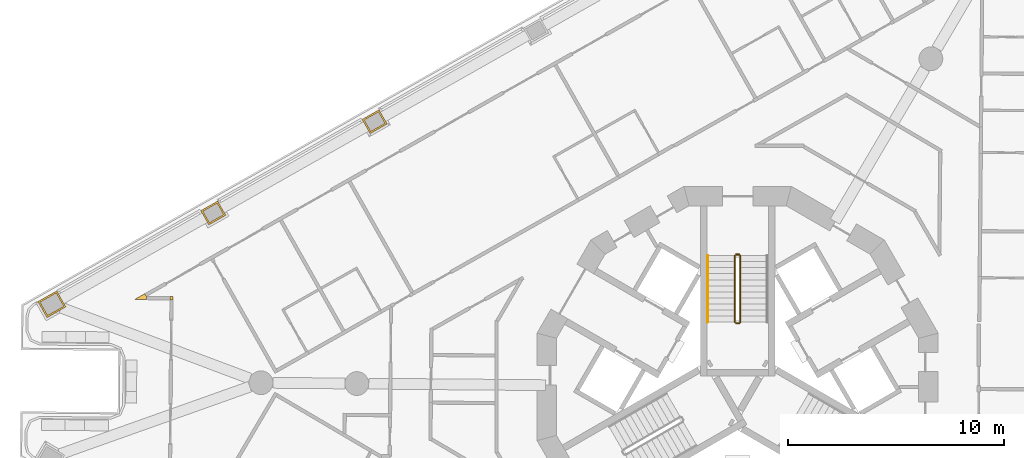
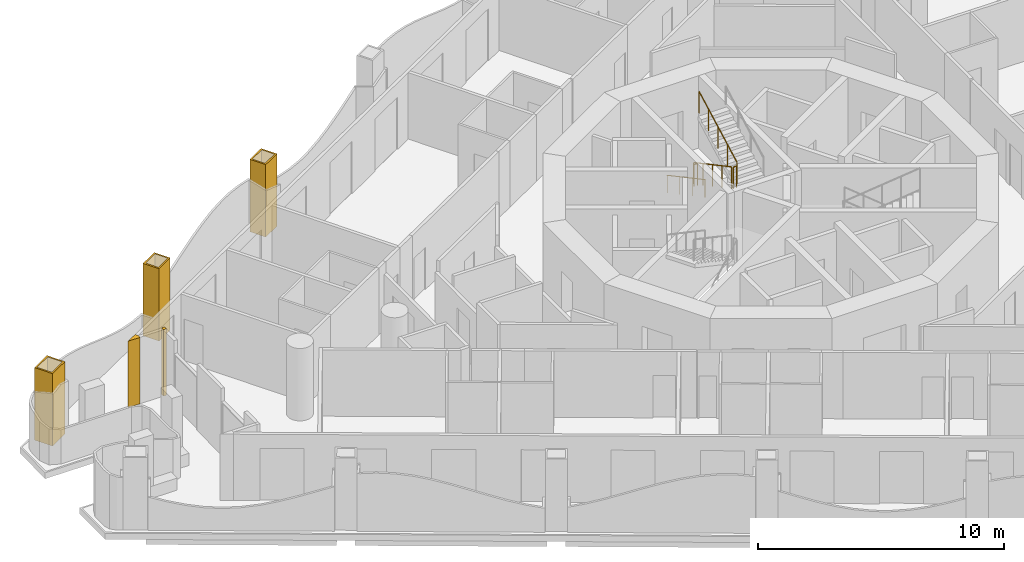
# One storey, part 15 of 17: 5 coverings, 5 railings.
"""IFC4 building model written with IfcOpenShell, lengths in metres."""

from ifc_helpers import new_model, si_unit, direction, frame, origin, origin_2d, place, context, subcontext, project, spatial, polyline, circle, outline, extrude, material, layer, layer_set, type_object, element, save


model = new_model("IFC4")

# Units and contexts
model_context = context("Model", 3, precision=1e-05, world=origin(), true_north=direction((0.0, 1.0)))
body_context = subcontext(model_context, "Body", "Model", "MODEL_VIEW")
ifc_project = project(units=[si_unit("LENGTHUNIT", "METRE"), si_unit("AREAUNIT", "SQUARE_METRE"), si_unit("VOLUMEUNIT", "CUBIC_METRE"), si_unit("PLANEANGLEUNIT", "RADIAN"), si_unit("MASSUNIT", "GRAM", prefix="KILO")], contexts=[model_context])

# Site, building, storey
site_placement = place(None, origin())
site = spatial("IfcSite", under=ifc_project, at=site_placement, CompositionType="ELEMENT")
building_placement = place(site_placement, origin())
building = spatial("IfcBuilding", under=site, at=building_placement, Name="Trine Commons Tower", CompositionType="ELEMENT")
storey_placement = place(building_placement, frame((0.0, 0.0, 168.300048828125)))
storey = spatial("IfcBuildingStorey", under=building, at=storey_placement, Name="L43", CompositionType="ELEMENT", Elevation=168.300048828125)

# Coverings
ifc_material_1 = material(Name="Aluminium-framed insulated wall panel", Category="aluminium")
ifc_layer_1 = layer(ifc_material_1, 0.14990234375)
ifc_layer_set_1 = layer_set([ifc_layer_1], Name="Aluminium-framed insulated wall panel")
covering_type_1 = type_object("IfcCoveringType", Name="Glazing corner post, aluminium", PredefinedType="CLADDING", material=ifc_layer_set_1)
covering_1_placement = place(storey_placement, origin())
element("IfcCovering", 1, at=covering_1_placement, inside=storey, type_object=covering_type_1, Name="Glazing corner post 5-03", PredefinedType="CLADDING", context=body_context, shape_type="SweptSolid", body=[
    extrude(outline(polyline([(53.89892578125, 66.517822265625), (53.900390625, 66.66796875), (53.750244140625, 66.669189453125), (53.7490234375, 66.519287109375), (53.89892578125, 66.517822265625)])), origin(), (0.0, 0.0, 1.0), 3.300048828125),
])
covering_2_placement = place(storey_placement, origin())
element("IfcCovering", 2, at=covering_2_placement, inside=storey, type_object=covering_type_1, Name="Glazing corner post 5-04", PredefinedType="CLADDING", context=body_context, shape_type="SweptSolid", body=[
    extrude(outline(polyline([(52.663330078125, 66.52880859375), (52.66455078125, 66.6787109375), (52.5908203125, 66.809326171875), (52.103515625, 66.53369140625), (52.663330078125, 66.52880859375)])), origin(), (0.0, 0.0, 1.0), 3.300048828125),
])
ifc_material_2 = material(Name="Limestone, honed", Category="masonry")
ifc_layer_2 = layer(ifc_material_2, 0.074951171875)
ifc_layer_set_2 = layer_set([ifc_layer_2], Name="Limestone, honed")
covering_type_2 = type_object("IfcCoveringType", Name="Limestone column cladding 75", PredefinedType="CLADDING", material=ifc_layer_set_2)
covering_3_placement = place(storey_placement, origin())
element("IfcCovering", 3, at=covering_3_placement, inside=storey, type_object=covering_type_2, Name="Limestone pier cladding 5-08", PredefinedType="CLADDING", context=body_context, shape_type="SweptSolid", body=[
    extrude(outline(polyline([(48.94091796875, 66.197509765625), (48.522216796875, 66.9375), (47.65185546875, 66.445068359375), (48.0703125, 65.705078125), (48.94091796875, 66.197509765625)]), holes=[polyline([(48.83837890625, 66.22607421875), (48.493896484375, 66.835205078125), (47.754150390625, 66.41650390625), (48.0986328125, 65.807373046875), (48.83837890625, 66.22607421875)])]), origin(), (0.0, 0.0, 1.0), 3.599853515625),
])
covering_4_placement = place(storey_placement, origin())
element("IfcCovering", 4, at=covering_4_placement, inside=storey, type_object=covering_type_2, Name="Limestone pier cladding 5-09", PredefinedType="CLADDING", context=body_context, shape_type="SweptSolid", body=[
    extrude(outline(polyline([(56.33203125, 70.43701171875), (55.962890625, 71.089599609375), (55.179443359375, 70.646484375), (55.548828125, 69.99365234375), (56.33203125, 70.43701171875)]), holes=[polyline([(56.22998046875, 70.46533203125), (55.9345703125, 70.987548828125), (55.28173828125, 70.6181640625), (55.5771484375, 70.095947265625), (56.22998046875, 70.46533203125)])]), origin(), (0.0, 0.0, 1.0), 3.599853515625),
])
covering_5_placement = place(storey_placement, origin())
element("IfcCovering", 5, at=covering_5_placement, inside=storey, type_object=covering_type_2, Name="Limestone pier cladding 5-10", PredefinedType="CLADDING", context=body_context, shape_type="SweptSolid", body=[
    extrude(outline(polyline([(63.79150390625, 74.6572265625), (63.422119140625, 75.31005859375), (62.638916015625, 74.86669921875), (63.00830078125, 74.214111328125), (63.79150390625, 74.6572265625)]), holes=[polyline([(63.689208984375, 74.685546875), (63.393798828125, 75.207763671875), (62.7412109375, 74.83837890625), (63.03662109375, 74.316162109375), (63.689208984375, 74.685546875)])]), origin(), (0.0, 0.0, 1.0), 3.599853515625),
])

# Railings
ifc_material_3 = material(Name="Stainless steel balustrade", Category="steel")
railing_type_1 = type_object("IfcRailingType", Name="Stair guard, steel balustrade 1100", PredefinedType="GUARDRAIL", material=ifc_material_3)
railing_1_placement = place(storey_placement, frame((79.875, 68.570556640625, 0.14990234375)))
element("IfcRailing", 6, at=railing_1_placement, inside=storey, type_object=railing_type_1, Name="L43 ST1B stair guard 1", PredefinedType="GUARDRAIL", context=body_context, shape_type="SweptSolid", body=[
    extrude(circle(Radius=0.02392578125, at=origin_2d()), frame((0.0, 0.0, 1.076171875), z_axis=(0.0, -0.881467505477, 0.472244678941), x_axis=(1.0, 0.0, 0.0)), (0.0, 0.0, 1.0), 3.494140625),
    extrude(circle(Radius=0.02099609375, at=origin_2d()), origin(), (0.0, 0.0, 1.0), 1.052001953125),
    extrude(circle(Radius=0.02099609375, at=origin_2d()), frame((0.0, -0.77001953125, 0.41259765625)), (0.0, 0.0, 1.0), 1.052001953125),
    extrude(circle(Radius=0.02099609375, at=origin_2d()), frame((0.0, -1.5400390625, 0.8251953125)), (0.0, 0.0, 1.0), 1.052001953125),
    extrude(circle(Radius=0.02099609375, at=origin_2d()), frame((0.0, -2.31005859375, 1.237548828125)), (0.0, 0.0, 1.0), 1.052001953125),
    extrude(circle(Radius=0.02099609375, at=origin_2d()), frame((0.0, -3.080078125, 1.650146484375)), (0.0, 0.0, 1.0), 1.052001953125),
])
railing_2_placement = place(storey_placement, frame((79.925048828125, 65.440673828125, 1.800048828125)))
element("IfcRailing", 7, at=railing_2_placement, inside=storey, type_object=railing_type_1, Name="L43 ST1B stair guard 2", PredefinedType="GUARDRAIL", context=body_context, shape_type="SweptSolid", body=[
    extrude(circle(Radius=0.02392578125, at=origin_2d()), frame((0.0, 0.0, 1.076171875), z_axis=(1.0, 0.0, 0.0), x_axis=(0.0, 1.0, 0.0)), (0.0, 0.0, 1.0), 0.14990234375),
    extrude(circle(Radius=0.02099609375, at=origin_2d()), origin(), (0.0, 0.0, 1.0), 1.052001953125),
    extrude(circle(Radius=0.02099609375, at=origin_2d()), frame((0.14990234375, 0.0, 0.0)), (0.0, 0.0, 1.0), 1.052001953125),
])
railing_3_placement = place(storey_placement, frame((80.125, 65.490478515625, 1.949951171875)))
element("IfcRailing", 8, at=railing_3_placement, inside=storey, type_object=railing_type_1, Name="L43 ST1B stair guard 3", PredefinedType="GUARDRAIL", context=body_context, shape_type="SweptSolid", body=[
    extrude(circle(Radius=0.02392578125, at=origin_2d()), frame((0.0, 0.0, 1.076171875), z_axis=(0.0, 0.881496589024, 0.472190389079), x_axis=(-1.0, 0.0, 0.0)), (0.0, 0.0, 1.0), 3.494140625),
    extrude(circle(Radius=0.02099609375, at=origin_2d()), origin(), (0.0, 0.0, 1.0), 1.052001953125),
    extrude(circle(Radius=0.02099609375, at=origin_2d()), frame((0.0, 0.77001953125, 0.41259765625)), (0.0, 0.0, 1.0), 1.052001953125),
    extrude(circle(Radius=0.02099609375, at=origin_2d()), frame((0.0, 1.5400390625, 0.824951171875)), (0.0, 0.0, 1.0), 1.052001953125),
    extrude(circle(Radius=0.02099609375, at=origin_2d()), frame((0.0, 2.31005859375, 1.2373046875)), (0.0, 0.0, 1.0), 1.052001953125),
    extrude(circle(Radius=0.02099609375, at=origin_2d()), frame((0.0, 3.080078125, 1.64990234375)), (0.0, 0.0, 1.0), 1.052001953125),
])
railing_4_placement = place(storey_placement, frame((79.925048828125, 68.62060546875, 0.0)))
element("IfcRailing", 9, at=railing_4_placement, inside=storey, type_object=railing_type_1, Name="L43 ST1B stair guard 4", PredefinedType="GUARDRAIL", context=body_context, shape_type="SweptSolid", body=[
    extrude(circle(Radius=0.02392578125, at=origin_2d()), frame((0.0, 0.0, 1.076171875), z_axis=(1.0, 0.0, 0.0), x_axis=(0.0, 1.0, 0.0)), (0.0, 0.0, 1.0), 0.14990234375),
    extrude(circle(Radius=0.02099609375, at=origin_2d()), origin(), (0.0, 0.0, 1.0), 1.052001953125),
    extrude(circle(Radius=0.02099609375, at=origin_2d()), frame((0.14990234375, 0.0, 0.0)), (0.0, 0.0, 1.0), 1.052001953125),
])
ifc_material_4 = material(Name="Stainless steel handrail", Category="steel")
railing_type_2 = type_object("IfcRailingType", Name="Stair handrail, steel 900", PredefinedType="HANDRAIL", material=ifc_material_4)
railing_5_placement = place(storey_placement, frame((78.625, 68.570556640625, 0.14990234375)))
element("IfcRailing", 10, at=railing_5_placement, inside=storey, type_object=railing_type_2, Name="L43 ST1B stair handrail 1", PredefinedType="HANDRAIL", context=body_context, shape_type="SweptSolid", body=[
    extrude(circle(Radius=0.02099609375, at=origin_2d()), frame((0.0, 0.0, 0.87890625), z_axis=(0.0, -0.881467505477, 0.472244678941), x_axis=(1.0, 0.0, 0.0)), (0.0, 0.0, 1.0), 3.494140625),
    extrude(circle(Radius=0.01513671875, at=origin_2d()), origin(), (0.0, 0.0, 1.0), 0.85791015625),
    extrude(circle(Radius=0.01513671875, at=origin_2d()), frame((0.0, -1.026611328125, 0.550048828125)), (0.0, 0.0, 1.0), 0.85791015625),
    extrude(circle(Radius=0.01513671875, at=origin_2d()), frame((0.0, -2.053466796875, 1.10009765625)), (0.0, 0.0, 1.0), 0.85791015625),
    extrude(circle(Radius=0.01513671875, at=origin_2d()), frame((0.0, -3.080078125, 1.650146484375)), (0.0, 0.0, 1.0), 0.85791015625),
])

save(model, "model.ifc")
